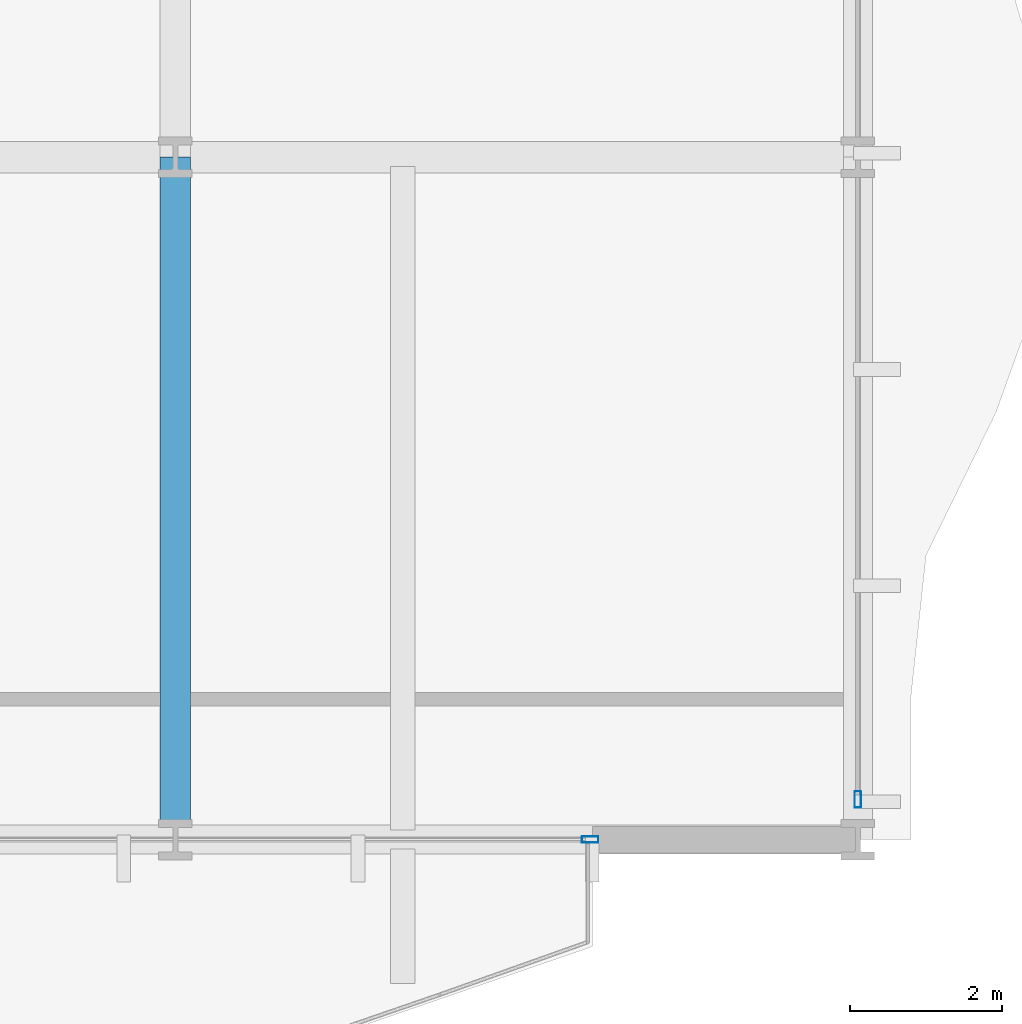
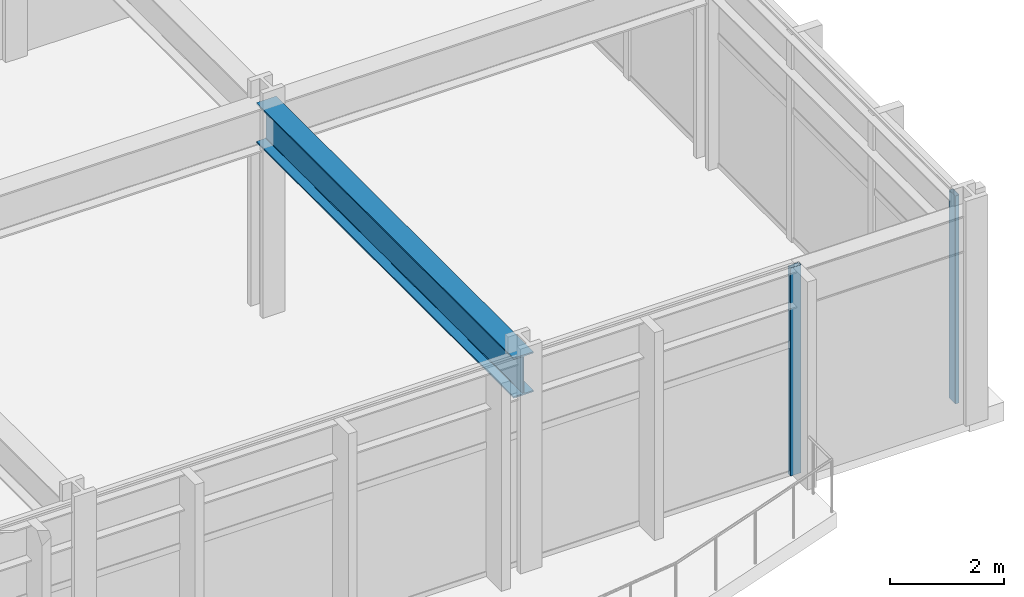
# One storey, part 10 of 31: 2 members, 1 beam, 2 elements without a shape of their own.
"""IFC4 building model written with IfcOpenShell, lengths in metres."""

import ifcopenshell
import ifcopenshell.guid

model = None  # the IFC model being written
_history = None  # IfcOwnerHistory: only IFC2X3 demands one
_inside = {}  # id of a spatial element -> (the spatial element, [elements in it])
_under = {}  # id of a project, library or spatial element -> (it, [spatial elements below it])
_declared = {}  # id of a project -> (the project, [libraries it declares])
_typed = {}  # id of a type object -> (the type object, [elements of that type])
_made_of = {}  # id of a material, layer set ... -> (it, [elements and type objects made of it])


def new_model(schema):
    """Start an empty IFC model of exactly this schema.

    Asked for "IFC4X3", IfcOpenShell would pick the latest addendum, in which some entities
    have other attributes; the version numbers below select the first issue.
    IFC2X3 requires an IfcOwnerHistory on every rooted entity: one is made here for all.
    """
    global model, _history
    if schema == "IFC4X3":
        model = ifcopenshell.file(schema_version=(4, 3, 0, 0))
    else:
        model = ifcopenshell.file(schema=schema)
    _inside.clear()
    _under.clear()
    _declared.clear()
    _typed.clear()
    _made_of.clear()
    _history = None
    if model.schema == "IFC2X3":
        org = make("IfcOrganization", Name="unknown")
        user = make(
            "IfcPersonAndOrganization",
            ThePerson=make("IfcPerson", FamilyName="unknown"),
            TheOrganization=org,
        )
        app = make(
            "IfcApplication",
            ApplicationDeveloper=org,
            Version="unknown",
            ApplicationFullName="unknown",
            ApplicationIdentifier="unknown",
        )
        _history = make(
            "IfcOwnerHistory",
            OwningUser=user,
            OwningApplication=app,
            ChangeAction="ADDED",
            CreationDate=0,
        )
    return model


def make(cls, **values):
    """One entity of the class cls with the attributes given. An attribute that is None is left unset."""
    return model.create_entity(
        cls, **{name: value for name, value in values.items() if value is not None}
    )


def rooted(cls, **values):
    """An entity with a GlobalId (a new one), such as an element, a storey or a relation."""
    return make(cls, GlobalId=ifcopenshell.guid.new(), OwnerHistory=_history, **values)


def si_unit(unit_type, name, prefix=None):
    """IfcSIUnit, for example si_unit("LENGTHUNIT", "METRE", prefix="MILLI")."""
    return make("IfcSIUnit", UnitType=unit_type, Prefix=prefix, Name=name)


def assignment(units):
    """IfcUnitAssignment: the units of a project."""
    return None if units is None else make("IfcUnitAssignment", Units=units)


def point(xyz):
    """IfcCartesianPoint."""
    return None if xyz is None else make("IfcCartesianPoint", Coordinates=xyz)


def direction(xyz):
    """IfcDirection."""
    return None if xyz is None else make("IfcDirection", DirectionRatios=xyz)


def frame(location, z_axis=None, x_axis=None):
    """IfcAxis2Placement3D, a coordinate frame: its origin and axes. An axis left out is left unset."""
    return make(
        "IfcAxis2Placement3D",
        Location=point(location),
        Axis=direction(z_axis),
        RefDirection=direction(x_axis),
    )


def frame_2d(location, x_axis=None):
    """IfcAxis2Placement2D, a coordinate frame in the plane: its origin and x axis."""
    return make(
        "IfcAxis2Placement2D", Location=point(location), RefDirection=direction(x_axis)
    )


def origin():
    """The frame at (0, 0, 0) with its axes left unset."""
    return frame((0.0, 0.0, 0.0))


def origin_2d():
    """The frame at (0, 0) in the plane with its x axis left unset."""
    return frame_2d((0.0, 0.0))


def place(relative_to, where):
    """IfcLocalPlacement: puts the frame where relative to a parent placement (None: the world)."""
    return make(
        "IfcLocalPlacement", PlacementRelTo=relative_to, RelativePlacement=where
    )


def context(
    kind, dimensions, precision=None, world=None, true_north=None, identifier=None
):
    """IfcGeometricRepresentationContext, for example the 3D "Model" context."""
    return make(
        "IfcGeometricRepresentationContext",
        ContextIdentifier=identifier,
        ContextType=kind,
        CoordinateSpaceDimension=dimensions,
        Precision=precision,
        WorldCoordinateSystem=world,
        TrueNorth=true_north,
    )


def subcontext(parent, identifier, kind, view, scale=None):
    """IfcGeometricRepresentationSubContext, for example "Body" below "Model"."""
    return make(
        "IfcGeometricRepresentationSubContext",
        ContextIdentifier=identifier,
        ContextType=kind,
        ParentContext=parent,
        TargetScale=scale,
        TargetView=view,
    )


def project(units=None, contexts=None):
    """IfcProject with its units and contexts."""
    return rooted(
        "IfcProject",
        Name="project",
        RepresentationContexts=contexts,
        UnitsInContext=assignment(units),
    )


def spatial(cls, under=None, at=None, **own):
    """A site, building, storey or space (cls), placed at a placement, below another one or the project."""
    s = rooted(cls, ObjectPlacement=at, **own)
    if under is not None:
        _under.setdefault(under.id(), (under, []))[1].append(s)
    return s


def profile(cls, at=None, kind="AREA", **sizes):
    """A parametric profile (cls). Its sizes go by their IFC names, for example OverallWidth=200.0."""
    return make(cls, ProfileType=kind, Position=at, **sizes)


def hollow_rectangle(**sizes):
    """IfcRectangleHollowProfileDef."""
    return profile("IfcRectangleHollowProfileDef", **sizes)


def i_section(**sizes):
    """IfcIShapeProfileDef."""
    return profile("IfcIShapeProfileDef", **sizes)


def extrude(swept, where, along, depth):
    """IfcExtrudedAreaSolid: the profile swept, set in the frame where, extruded along a direction by depth."""
    return make(
        "IfcExtrudedAreaSolid",
        SweptArea=swept,
        Position=where,
        ExtrudedDirection=direction(along),
        Depth=depth,
    )


def shape(context_of_items, identifier, shape_type, items):
    """IfcShapeRepresentation: the items that make up one representation, for example the "Body"."""
    return make(
        "IfcShapeRepresentation",
        ContextOfItems=context_of_items,
        RepresentationIdentifier=identifier,
        RepresentationType=shape_type,
        Items=items,
    )


def material(Name=None, Category=None):
    """IfcMaterial."""
    return make("IfcMaterial", Name=Name, Category=Category)


def layer(
    of_material, thickness, ventilated=None, Name=None, Category=None, Priority=None
):
    """IfcMaterialLayer: one layer of a wall or slab, of a material (None: an air gap)."""
    return make(
        "IfcMaterialLayer",
        Material=of_material,
        LayerThickness=thickness,
        IsVentilated=ventilated,
        Name=Name,
        Category=Category,
        Priority=Priority,
    )


def layer_set(layers, Name=None):
    """IfcMaterialLayerSet."""
    return make("IfcMaterialLayerSet", MaterialLayers=layers, LayerSetName=Name)


def material_profile(
    of_material, cross_section, Name=None, Category=None, Priority=None
):
    """IfcMaterialProfile: a cross section and its material."""
    return make(
        "IfcMaterialProfile",
        Name=Name,
        Material=of_material,
        Profile=cross_section,
        Priority=Priority,
        Category=Category,
    )


def profile_set(profiles, Name=None, composite=None):
    """IfcMaterialProfileSet."""
    return make(
        "IfcMaterialProfileSet",
        Name=Name,
        MaterialProfiles=profiles,
        CompositeProfile=composite,
    )


def made_of(thing, what):
    """Note that an element or type object is made of a material, layer set ...; save() writes the relation."""
    if what is not None:
        _made_of.setdefault(what.id(), (what, []))[1].append(thing)
    return thing


def type_object(cls, material=None, **own):
    """A type object (cls), such as IfcWallType, which elements share."""
    return made_of(rooted(cls, **own), material)


def element(
    cls,
    number,
    at=None,
    inside=None,
    cuts=None,
    type_object=None,
    material=None,
    context=None,
    identifier="Body",
    shape_type=None,
    held_by="IfcProductDefinitionShape",
    body=None,
    shapes=None,
    **own,
):
    """One element of the class cls, such as IfcWall. Its Tag is "e" and its number.

    at: its placement. inside: the storey or other place that contains it. cuts: it is an
    opening in that element (IfcRelVoidsElement). A single representation is given by context,
    identifier, shape_type and body (its items); several are given by shapes. held_by: the class
    of the entity that holds the representations. save() writes the other relations.
    """
    e = rooted(cls, Tag="e%d" % number, ObjectPlacement=at, **own)
    if body is not None:
        shapes = [shape(context, identifier, shape_type, body)]
    if shapes is not None:
        e.Representation = make(held_by, Representations=shapes)
    if inside is not None:
        _inside.setdefault(inside.id(), (inside, []))[1].append(e)
    if cuts is not None:
        rooted(
            "IfcRelVoidsElement", RelatingBuildingElement=cuts, RelatedOpeningElement=e
        )
    if type_object is not None:
        _typed.setdefault(type_object.id(), (type_object, []))[1].append(e)
    return made_of(e, material)


def aggregate(whole, parts):
    """IfcRelAggregates: a whole, such as a stair, and the parts it consists of."""
    return rooted("IfcRelAggregates", RelatingObject=whole, RelatedObjects=parts)


def save(model, path):
    """Write the relations noted so far, then the file.

    IfcRelAggregates (storeys below a building ...), IfcRelContainedInSpatialStructure (elements
    in a storey), IfcRelDefinesByType, IfcRelAssociatesMaterial and IfcRelDeclares: one each for
    every whole, place, type object, material and project.
    """
    for whole, parts in _under.values():
        aggregate(whole, parts)
    for where, things in _inside.values():
        rooted(
            "IfcRelContainedInSpatialStructure",
            RelatedElements=things,
            RelatingStructure=where,
        )
    for kind, things in _typed.values():
        rooted("IfcRelDefinesByType", RelatedObjects=things, RelatingType=kind)
    for what, things in _made_of.values():
        rooted("IfcRelAssociatesMaterial", RelatedObjects=things, RelatingMaterial=what)
    for by, libraries in _declared.values():
        rooted("IfcRelDeclares", RelatingContext=by, RelatedDefinitions=libraries)
    model.write(path)


model = new_model("IFC4")

# Units and contexts
model_context = context("Model", 3, precision=1e-05, world=origin(), true_north=direction((0.0, 1.0)))
body_context = subcontext(model_context, "Body", "Model", "MODEL_VIEW")
ifc_project = project(units=[si_unit("LENGTHUNIT", "METRE"), si_unit("AREAUNIT", "SQUARE_METRE"), si_unit("VOLUMEUNIT", "CUBIC_METRE"), si_unit("PLANEANGLEUNIT", "RADIAN"), si_unit("MASSUNIT", "GRAM", prefix="KILO")], contexts=[model_context])

# Site, building, storey
site_placement = place(None, origin())
site = spatial("IfcSite", under=ifc_project, at=site_placement, CompositionType="ELEMENT")
building_placement = place(site_placement, origin())
building = spatial("IfcBuilding", under=site, at=building_placement, Name="Solvaryn Broadcast Tower", CompositionType="ELEMENT")
storey_placement = place(building_placement, frame((0.0, 0.0, 26.0)))
storey = spatial("IfcBuildingStorey", under=building, at=storey_placement, Name="L05", CompositionType="ELEMENT", Elevation=26.0)

# Beam
ifc_material_1 = material(Name="Steel ASTM A992 Grade 50", Category="steel")
ifc_material_profile_1 = material_profile(ifc_material_1, i_section(OverallWidth=0.39990234375, OverallDepth=0.85498046875, WebThickness=0.018310546875, FlangeThickness=0.029296875, FilletRadius=0.02001953125, at=origin_2d()))
ifc_profile_set_1 = profile_set([ifc_material_profile_1], Name="Steel ASTM A992 Grade 50")
beam_type = type_object("IfcBeamType", Name="BM-G3-W33X201", PredefinedType="BEAM", material=ifc_profile_set_1)
beam_placement = place(storey_placement, frame((54.0, 9.0, 4.012451171875), z_axis=(0.0, 1.0, 0.0), x_axis=(-1.0, 0.0, 0.0)))
element("IfcBeam", 1, at=beam_placement, inside=storey, type_object=beam_type, Name="L05 Primary Beam Y (9-18 @ X=54)", PredefinedType="BEAM", context=body_context, shape_type="SweptSolid", body=[
    extrude(i_section(OverallWidth=0.39990234375, OverallDepth=0.85498046875, WebThickness=0.018310546875, FlangeThickness=0.029296875, FilletRadius=0.02001953125, at=origin_2d()), origin(), (0.0, 0.0, 1.0), 9.0),
])

# Curtain wall, member
ifc_material_2 = material(Name="Aluminium and Terracotta Unitised Curtain Wall", Category="masonry")
ifc_layer = layer(ifc_material_2, 0.219970703125)
ifc_layer_set = layer_set([ifc_layer], Name="CW-SYS1-PODIUM")
curtain_wall_type = type_object("IfcCurtainWallType", Name="CW-SYS1-PODIUM", PredefinedType="NOTDEFINED", material=ifc_layer_set)
curtain_wall_1_placement = place(storey_placement, origin())
curtain_wall_1 = element("IfcCurtainWall", 2, at=curtain_wall_1_placement, inside=storey, type_object=curtain_wall_type, Name="L05 Podium Curtain Wall S1", PredefinedType="NOTDEFINED")
ifc_material_3 = material(Name="Anodised Aluminium 6063-T6", Category="aluminium")
ifc_material_profile_2 = material_profile(ifc_material_3, hollow_rectangle(XDim=0.0849609375, YDim=0.219970703125, WallThickness=0.0048828125, InnerFilletRadius=0.0048828125, OuterFilletRadius=0.010009765625, at=origin_2d()))
ifc_profile_set_2 = profile_set([ifc_material_profile_2], Name="Anodised Aluminium 6063-T6")
member_type = type_object("IfcMemberType", Name="CW-MUL-220", PredefinedType="MULLION", material=ifc_profile_set_2)
member_1_placement = place(storey_placement, frame((59.469970703125, 9.0, 0.0), z_axis=(0.0, 0.0, 1.0), x_axis=(0.0, -1.0, 0.0)))
member_1 = element("IfcMember", 3, at=member_1_placement, type_object=member_type, Name="CWS1 mullion 1", PredefinedType="MULLION", context=body_context, shape_type="SweptSolid", body=[
    extrude(hollow_rectangle(XDim=0.0849609375, YDim=0.219970703125, WallThickness=0.0048828125, InnerFilletRadius=0.0048828125, OuterFilletRadius=0.010009765625, at=origin_2d()), origin(), (0.0, 0.0, 1.0), 4.43994140625),
])
aggregate(curtain_wall_1, [member_1])

curtain_wall_2_placement = place(storey_placement, origin())
curtain_wall_2 = element("IfcCurtainWall", 4, at=curtain_wall_2_placement, inside=storey, type_object=curtain_wall_type, Name="L05 Podium Curtain Wall E2", PredefinedType="NOTDEFINED")
member_2_placement = place(storey_placement, frame((63.0, 9.530029296875, 0.0), z_axis=(0.0, 0.0, 1.0), x_axis=(1.0, 0.0, 0.0)))
member_2 = element("IfcMember", 5, at=member_2_placement, type_object=member_type, Name="CWS1 mullion 2", PredefinedType="MULLION", context=body_context, shape_type="SweptSolid", body=[
    extrude(hollow_rectangle(XDim=0.0849609375, YDim=0.219970703125, WallThickness=0.0048828125, InnerFilletRadius=0.0048828125, OuterFilletRadius=0.010009765625, at=origin_2d()), origin(), (0.0, 0.0, 1.0), 4.43994140625),
])
aggregate(curtain_wall_2, [member_2])

save(model, "model.ifc")
